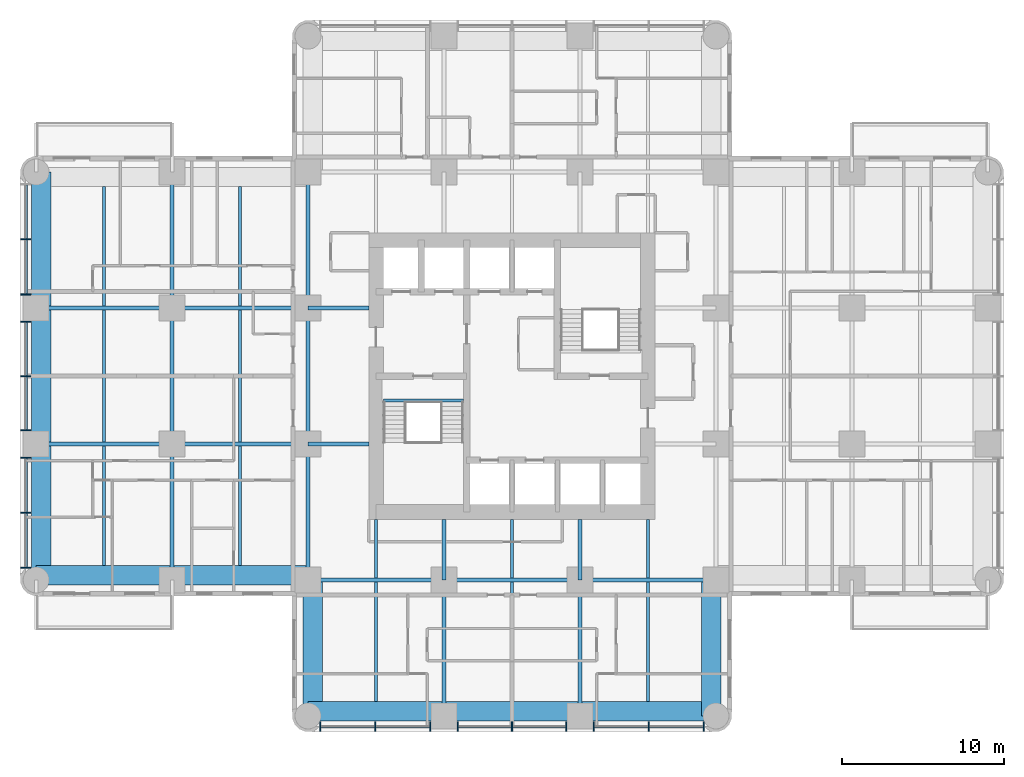
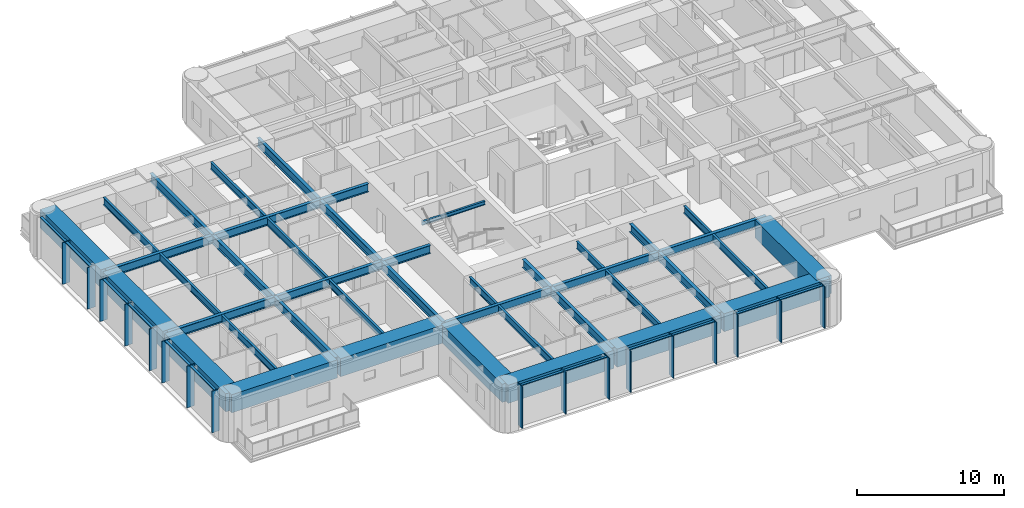
# One storey, part 2 of 14: 42 beams, 29 members, 2 elements without a shape of their own.
"""IFC4 building model written with IfcOpenShell, lengths in metres."""

from ifc_helpers import new_model, si_unit, direction, frame, origin, origin_2d, place, context, subcontext, project, spatial, rectangle, i_section, extrude, material, material_profile, profile_set, type_object, element, aggregate, save


model = new_model("IFC4")

# Units and contexts
model_context = context("Model", 3, precision=1e-05, world=origin(), true_north=direction((0.0, 1.0)))
body_context = subcontext(model_context, "Body", "Model", "MODEL_VIEW")
ifc_project = project(units=[si_unit("LENGTHUNIT", "METRE"), si_unit("AREAUNIT", "SQUARE_METRE"), si_unit("VOLUMEUNIT", "CUBIC_METRE"), si_unit("PLANEANGLEUNIT", "RADIAN"), si_unit("MASSUNIT", "GRAM", prefix="KILO")], contexts=[model_context])

# Site, building, storey
site_placement = place(None, origin())
site = spatial("IfcSite", under=ifc_project, at=site_placement, CompositionType="ELEMENT")
building_placement = place(site_placement, origin())
building = spatial("IfcBuilding", under=site, at=building_placement, Name="Torre Alcanfor", CompositionType="ELEMENT")
storey_placement = place(building_placement, frame((0.0, 0.0, 130.5)))
storey = spatial("IfcBuildingStorey", under=building, at=storey_placement, Name="L33", CompositionType="ELEMENT", Elevation=130.5)

# Curtain wall, members
ifc_material_1 = material(Name="Aluminium and glass", Category="aluminium")
curtain_wall_type = type_object("IfcCurtainWallType", Name="CW-A unitised apartment glazing with vertical FIN", PredefinedType="NOTDEFINED", material=ifc_material_1)
curtain_wall_1_placement = place(storey_placement, origin())
curtain_wall_1 = element("IfcCurtainWall", 1, at=curtain_wall_1_placement, inside=storey, type_object=curtain_wall_type, Name="Curtain wall CW-A L33 2", PredefinedType="NOTDEFINED")
ifc_material_2 = material(Name="Bronze anodised aluminium", Category="aluminium")
ifc_material_profile_1 = material_profile(ifc_material_2, rectangle(XDim=0.60009765625, YDim=0.06494140625, at=origin_2d()), Name="CW-A mullion 65x600")
ifc_profile_set_1 = profile_set([ifc_material_profile_1], Name="Bronze anodised aluminium")
member_type_1 = type_object("IfcMemberType", Name="CW-A mullion with vertical FIN 65x600", PredefinedType="MULLION", material=ifc_profile_set_1)
member_1_placement = place(storey_placement, frame((-0.64990234375, 37.840087890625, 0.0), z_axis=(0.0, 0.0, 1.0), x_axis=(1.0, 0.0, 0.0)))
member_1 = element("IfcMember", 2, at=member_1_placement, type_object=member_type_1, Name="CW-A mullion 1.2", PredefinedType="MULLION", context=body_context, shape_type="SweptSolid", body=[
    extrude(rectangle(XDim=0.60009765625, YDim=0.06494140625, at=origin_2d()), origin(), (0.0, 0.0, 1.0), 3.449951171875),
])
member_2_placement = place(storey_placement, frame((-0.64990234375, 34.4375, 0.0), z_axis=(0.0, 0.0, 1.0), x_axis=(1.0, 0.0, 0.0)))
member_2 = element("IfcMember", 3, at=member_2_placement, type_object=member_type_1, Name="CW-A mullion 1.3", PredefinedType="MULLION", context=body_context, shape_type="SweptSolid", body=[
    extrude(rectangle(XDim=0.60009765625, YDim=0.06494140625, at=origin_2d()), origin(), (0.0, 0.0, 1.0), 3.449951171875),
])
member_3_placement = place(storey_placement, frame((-0.64990234375, 32.762451171875, 0.0), z_axis=(0.0, 0.0, 1.0), x_axis=(1.0, 0.0, 0.0)))
member_3 = element("IfcMember", 4, at=member_3_placement, type_object=member_type_1, Name="CW-A mullion 2.1", PredefinedType="MULLION", context=body_context, shape_type="SweptSolid", body=[
    extrude(rectangle(XDim=0.60009765625, YDim=0.06494140625, at=origin_2d()), origin(), (0.0, 0.0, 1.0), 3.449951171875),
])
member_4_placement = place(storey_placement, frame((-0.64990234375, 29.39990234375, 0.0), z_axis=(0.0, 0.0, 1.0), x_axis=(1.0, 0.0, 0.0)))
member_4 = element("IfcMember", 5, at=member_4_placement, type_object=member_type_1, Name="CW-A mullion 2.2", PredefinedType="MULLION", context=body_context, shape_type="SweptSolid", body=[
    extrude(rectangle(XDim=0.60009765625, YDim=0.06494140625, at=origin_2d()), origin(), (0.0, 0.0, 1.0), 3.449951171875),
])
member_5_placement = place(storey_placement, frame((-0.64990234375, 26.03759765625, 0.0), z_axis=(0.0, 0.0, 1.0), x_axis=(1.0, 0.0, 0.0)))
member_5 = element("IfcMember", 6, at=member_5_placement, type_object=member_type_1, Name="CW-A mullion 2.3", PredefinedType="MULLION", context=body_context, shape_type="SweptSolid", body=[
    extrude(rectangle(XDim=0.60009765625, YDim=0.06494140625, at=origin_2d()), origin(), (0.0, 0.0, 1.0), 3.449951171875),
])
member_6_placement = place(storey_placement, frame((-0.64990234375, 24.362548828125, 0.0), z_axis=(0.0, 0.0, 1.0), x_axis=(1.0, 0.0, 0.0)))
member_6 = element("IfcMember", 7, at=member_6_placement, type_object=member_type_1, Name="CW-A mullion 3.1", PredefinedType="MULLION", context=body_context, shape_type="SweptSolid", body=[
    extrude(rectangle(XDim=0.60009765625, YDim=0.06494140625, at=origin_2d()), origin(), (0.0, 0.0, 1.0), 3.449951171875),
])
member_7_placement = place(storey_placement, frame((-0.64990234375, 20.9599609375, 0.0), z_axis=(0.0, 0.0, 1.0), x_axis=(1.0, 0.0, 0.0)))
member_7 = element("IfcMember", 8, at=member_7_placement, type_object=member_type_1, Name="CW-A mullion 3.2", PredefinedType="MULLION", context=body_context, shape_type="SweptSolid", body=[
    extrude(rectangle(XDim=0.60009765625, YDim=0.06494140625, at=origin_2d()), origin(), (0.0, 0.0, 1.0), 3.449951171875),
])
member_8_placement = place(storey_placement, frame((-0.64990234375, 17.557373046875, 0.0), z_axis=(0.0, 0.0, 1.0), x_axis=(1.0, 0.0, 0.0)))
member_8 = element("IfcMember", 9, at=member_8_placement, type_object=member_type_1, Name="CW-A mullion 3.3", PredefinedType="MULLION", context=body_context, shape_type="SweptSolid", body=[
    extrude(rectangle(XDim=0.60009765625, YDim=0.06494140625, at=origin_2d()), origin(), (0.0, 0.0, 1.0), 3.449951171875),
])

curtain_wall_2_placement = place(storey_placement, origin())
curtain_wall_2 = element("IfcCurtainWall", 10, at=curtain_wall_2_placement, inside=storey, type_object=curtain_wall_type, Name="Curtain wall CW-A L33 5", PredefinedType="NOTDEFINED")
member_9_placement = place(storey_placement, frame((17.557373046875, 7.75, 0.0), z_axis=(0.0, 0.0, 1.0), x_axis=(0.0, 1.0, 0.0)))
member_9 = element("IfcMember", 11, at=member_9_placement, type_object=member_type_1, Name="CW-A mullion 1.1", PredefinedType="MULLION", context=body_context, shape_type="SweptSolid", body=[
    extrude(rectangle(XDim=0.60009765625, YDim=0.06494140625, at=origin_2d()), origin(), (0.0, 0.0, 1.0), 3.449951171875),
])
member_10_placement = place(storey_placement, frame((20.9599609375, 7.75, 0.0), z_axis=(0.0, 0.0, 1.0), x_axis=(0.0, 1.0, 0.0)))
member_10 = element("IfcMember", 12, at=member_10_placement, type_object=member_type_1, Name="CW-A mullion 1.2", PredefinedType="MULLION", context=body_context, shape_type="SweptSolid", body=[
    extrude(rectangle(XDim=0.60009765625, YDim=0.06494140625, at=origin_2d()), origin(), (0.0, 0.0, 1.0), 3.449951171875),
])
member_11_placement = place(storey_placement, frame((24.362548828125, 7.75, 0.0), z_axis=(0.0, 0.0, 1.0), x_axis=(0.0, 1.0, 0.0)))
member_11 = element("IfcMember", 13, at=member_11_placement, type_object=member_type_1, Name="CW-A mullion 1.3", PredefinedType="MULLION", context=body_context, shape_type="SweptSolid", body=[
    extrude(rectangle(XDim=0.60009765625, YDim=0.06494140625, at=origin_2d()), origin(), (0.0, 0.0, 1.0), 3.449951171875),
])
member_12_placement = place(storey_placement, frame((26.03759765625, 7.75, 0.0), z_axis=(0.0, 0.0, 1.0), x_axis=(0.0, 1.0, 0.0)))
member_12 = element("IfcMember", 14, at=member_12_placement, type_object=member_type_1, Name="CW-A mullion 2.1", PredefinedType="MULLION", context=body_context, shape_type="SweptSolid", body=[
    extrude(rectangle(XDim=0.60009765625, YDim=0.06494140625, at=origin_2d()), origin(), (0.0, 0.0, 1.0), 3.449951171875),
])
member_13_placement = place(storey_placement, frame((29.39990234375, 7.75, 0.0), z_axis=(0.0, 0.0, 1.0), x_axis=(0.0, 1.0, 0.0)))
member_13 = element("IfcMember", 15, at=member_13_placement, type_object=member_type_1, Name="CW-A mullion 2.2", PredefinedType="MULLION", context=body_context, shape_type="SweptSolid", body=[
    extrude(rectangle(XDim=0.60009765625, YDim=0.06494140625, at=origin_2d()), origin(), (0.0, 0.0, 1.0), 3.449951171875),
])
member_14_placement = place(storey_placement, frame((32.762451171875, 7.75, 0.0), z_axis=(0.0, 0.0, 1.0), x_axis=(0.0, 1.0, 0.0)))
member_14 = element("IfcMember", 16, at=member_14_placement, type_object=member_type_1, Name="CW-A mullion 2.3", PredefinedType="MULLION", context=body_context, shape_type="SweptSolid", body=[
    extrude(rectangle(XDim=0.60009765625, YDim=0.06494140625, at=origin_2d()), origin(), (0.0, 0.0, 1.0), 3.449951171875),
])
member_15_placement = place(storey_placement, frame((34.4375, 7.75, 0.0), z_axis=(0.0, 0.0, 1.0), x_axis=(0.0, 1.0, 0.0)))
member_15 = element("IfcMember", 17, at=member_15_placement, type_object=member_type_1, Name="CW-A mullion 3.1", PredefinedType="MULLION", context=body_context, shape_type="SweptSolid", body=[
    extrude(rectangle(XDim=0.60009765625, YDim=0.06494140625, at=origin_2d()), origin(), (0.0, 0.0, 1.0), 3.449951171875),
])
member_16_placement = place(storey_placement, frame((37.840087890625, 7.75, 0.0), z_axis=(0.0, 0.0, 1.0), x_axis=(0.0, 1.0, 0.0)))
member_16 = element("IfcMember", 18, at=member_16_placement, type_object=member_type_1, Name="CW-A mullion 3.2", PredefinedType="MULLION", context=body_context, shape_type="SweptSolid", body=[
    extrude(rectangle(XDim=0.60009765625, YDim=0.06494140625, at=origin_2d()), origin(), (0.0, 0.0, 1.0), 3.449951171875),
])
member_17_placement = place(storey_placement, frame((41.24267578125, 7.75, 0.0), z_axis=(0.0, 0.0, 1.0), x_axis=(0.0, 1.0, 0.0)))
member_17 = element("IfcMember", 19, at=member_17_placement, type_object=member_type_1, Name="CW-A mullion 3.3", PredefinedType="MULLION", context=body_context, shape_type="SweptSolid", body=[
    extrude(rectangle(XDim=0.60009765625, YDim=0.06494140625, at=origin_2d()), origin(), (0.0, 0.0, 1.0), 3.449951171875),
])

# Member
ifc_material_3 = material(Name="Extruded aluminium", Category="aluminium")
ifc_material_profile_2 = material_profile(ifc_material_3, rectangle(XDim=0.199951171875, YDim=0.06494140625, at=origin_2d()), Name="CW-A transom 200x65")
ifc_profile_set_2 = profile_set([ifc_material_profile_2], Name="Extruded aluminium")
member_type_2 = type_object("IfcMemberType", Name="CW-A transom 65x200", PredefinedType="USERDEFINED", material=ifc_profile_set_2)
member_18_placement = place(storey_placement, frame((-0.64990234375, 41.210205078125, 3.41748046875), z_axis=(0.0, -1.0, 0.0), x_axis=(1.0, 0.0, 0.0)))
member_18 = element("IfcMember", 20, at=member_18_placement, type_object=member_type_2, Name="CW-A transom 1.1.2", ObjectType="TRANSOM", PredefinedType="USERDEFINED", context=body_context, shape_type="SweptSolid", body=[
    extrude(rectangle(XDim=0.199951171875, YDim=0.06494140625, at=origin_2d()), origin(), (0.0, 0.0, 1.0), 3.337646484375),
])

member_19_placement = place(storey_placement, frame((-0.64990234375, 37.8076171875, 3.41748046875), z_axis=(0.0, -1.0, 0.0), x_axis=(1.0, 0.0, 0.0)))
member_19 = element("IfcMember", 21, at=member_19_placement, type_object=member_type_2, Name="CW-A transom 1.2.2", ObjectType="TRANSOM", PredefinedType="USERDEFINED", context=body_context, shape_type="SweptSolid", body=[
    extrude(rectangle(XDim=0.199951171875, YDim=0.06494140625, at=origin_2d()), origin(), (0.0, 0.0, 1.0), 3.337646484375),
])

member_20_placement = place(storey_placement, frame((-0.64990234375, 32.72998046875, 3.41748046875), z_axis=(0.0, -1.0, 0.0), x_axis=(1.0, 0.0, 0.0)))
member_20 = element("IfcMember", 22, at=member_20_placement, type_object=member_type_2, Name="CW-A transom 2.1.2", ObjectType="TRANSOM", PredefinedType="USERDEFINED", context=body_context, shape_type="SweptSolid", body=[
    extrude(rectangle(XDim=0.199951171875, YDim=0.06494140625, at=origin_2d()), origin(), (0.0, 0.0, 1.0), 3.29736328125),
])

member_21_placement = place(storey_placement, frame((-0.64990234375, 29.367431640625, 3.41748046875), z_axis=(0.0, -1.0, 0.0), x_axis=(1.0, 0.0, 0.0)))
member_21 = element("IfcMember", 23, at=member_21_placement, type_object=member_type_2, Name="CW-A transom 2.2.2", ObjectType="TRANSOM", PredefinedType="USERDEFINED", context=body_context, shape_type="SweptSolid", body=[
    extrude(rectangle(XDim=0.199951171875, YDim=0.06494140625, at=origin_2d()), origin(), (0.0, 0.0, 1.0), 3.29736328125),
])

member_22_placement = place(storey_placement, frame((-0.64990234375, 24.330078125, 3.41748046875), z_axis=(0.0, -1.0, 0.0), x_axis=(1.0, 0.0, 0.0)))
member_22 = element("IfcMember", 24, at=member_22_placement, type_object=member_type_2, Name="CW-A transom 3.1.2", ObjectType="TRANSOM", PredefinedType="USERDEFINED", context=body_context, shape_type="SweptSolid", body=[
    extrude(rectangle(XDim=0.199951171875, YDim=0.06494140625, at=origin_2d()), origin(), (0.0, 0.0, 1.0), 3.337646484375),
])

member_23_placement = place(storey_placement, frame((-0.64990234375, 20.927490234375, 3.41748046875), z_axis=(0.0, -1.0, 0.0), x_axis=(1.0, 0.0, 0.0)))
member_23 = element("IfcMember", 25, at=member_23_placement, type_object=member_type_2, Name="CW-A transom 3.2.2", ObjectType="TRANSOM", PredefinedType="USERDEFINED", context=body_context, shape_type="SweptSolid", body=[
    extrude(rectangle(XDim=0.199951171875, YDim=0.06494140625, at=origin_2d()), origin(), (0.0, 0.0, 1.0), 3.337646484375),
])

aggregate(curtain_wall_1, [member_1, member_2, member_18, member_19, member_3, member_4, member_5, member_20, member_21, member_6, member_7, member_8, member_22, member_23])

member_24_placement = place(storey_placement, frame((17.58984375, 7.75, 3.41748046875), z_axis=(1.0, 0.0, 0.0), x_axis=(0.0, 1.0, 0.0)))
member_24 = element("IfcMember", 26, at=member_24_placement, type_object=member_type_2, Name="CW-A transom 1.1.2", ObjectType="TRANSOM", PredefinedType="USERDEFINED", context=body_context, shape_type="SweptSolid", body=[
    extrude(rectangle(XDim=0.199951171875, YDim=0.06494140625, at=origin_2d()), origin(), (0.0, 0.0, 1.0), 3.337646484375),
])

member_25_placement = place(storey_placement, frame((20.992431640625, 7.75, 3.41748046875), z_axis=(1.0, 0.0, 0.0), x_axis=(0.0, 1.0, 0.0)))
member_25 = element("IfcMember", 27, at=member_25_placement, type_object=member_type_2, Name="CW-A transom 1.2.2", ObjectType="TRANSOM", PredefinedType="USERDEFINED", context=body_context, shape_type="SweptSolid", body=[
    extrude(rectangle(XDim=0.199951171875, YDim=0.06494140625, at=origin_2d()), origin(), (0.0, 0.0, 1.0), 3.337646484375),
])

member_26_placement = place(storey_placement, frame((26.070068359375, 7.75, 3.41748046875), z_axis=(1.0, 0.0, 0.0), x_axis=(0.0, 1.0, 0.0)))
member_26 = element("IfcMember", 28, at=member_26_placement, type_object=member_type_2, Name="CW-A transom 2.1.2", ObjectType="TRANSOM", PredefinedType="USERDEFINED", context=body_context, shape_type="SweptSolid", body=[
    extrude(rectangle(XDim=0.199951171875, YDim=0.06494140625, at=origin_2d()), origin(), (0.0, 0.0, 1.0), 3.29736328125),
])

member_27_placement = place(storey_placement, frame((29.4326171875, 7.75, 3.41748046875), z_axis=(1.0, 0.0, 0.0), x_axis=(0.0, 1.0, 0.0)))
member_27 = element("IfcMember", 29, at=member_27_placement, type_object=member_type_2, Name="CW-A transom 2.2.2", ObjectType="TRANSOM", PredefinedType="USERDEFINED", context=body_context, shape_type="SweptSolid", body=[
    extrude(rectangle(XDim=0.199951171875, YDim=0.06494140625, at=origin_2d()), origin(), (0.0, 0.0, 1.0), 3.29736328125),
])

member_28_placement = place(storey_placement, frame((34.469970703125, 7.75, 3.41748046875), z_axis=(1.0, 0.0, 0.0), x_axis=(0.0, 1.0, 0.0)))
member_28 = element("IfcMember", 30, at=member_28_placement, type_object=member_type_2, Name="CW-A transom 3.1.2", ObjectType="TRANSOM", PredefinedType="USERDEFINED", context=body_context, shape_type="SweptSolid", body=[
    extrude(rectangle(XDim=0.199951171875, YDim=0.06494140625, at=origin_2d()), origin(), (0.0, 0.0, 1.0), 3.337646484375),
])

member_29_placement = place(storey_placement, frame((37.87255859375, 7.75, 3.41748046875), z_axis=(1.0, 0.0, 0.0), x_axis=(0.0, 1.0, 0.0)))
member_29 = element("IfcMember", 31, at=member_29_placement, type_object=member_type_2, Name="CW-A transom 3.2.2", ObjectType="TRANSOM", PredefinedType="USERDEFINED", context=body_context, shape_type="SweptSolid", body=[
    extrude(rectangle(XDim=0.199951171875, YDim=0.06494140625, at=origin_2d()), origin(), (0.0, 0.0, 1.0), 3.337646484375),
])

aggregate(curtain_wall_2, [member_9, member_10, member_11, member_24, member_25, member_12, member_13, member_14, member_26, member_27, member_15, member_16, member_17, member_28, member_29])

# Beams
ifc_material_4 = material(Name="Steel ASTM A992 Grade 50", Category="steel")
ifc_material_profile_3 = material_profile(ifc_material_4, i_section(OverallWidth=0.25390625, OverallDepth=0.683349609375, WebThickness=0.012451171875, FlangeThickness=0.01904296875, at=origin_2d()), Name="W27x94")
ifc_profile_set_3 = profile_set([ifc_material_profile_3], Name="Steel ASTM A992 Grade 50")
beam_type_1 = type_object("IfcBeamType", Name="Girder W27x94", PredefinedType="BEAM", material=ifc_profile_set_3)
beam_1_placement = place(storey_placement, frame((16.800048828125, 16.800048828125, 3.1083984375), z_axis=(1.0, 0.0, 0.0), x_axis=(0.0, 1.0, 0.0)))
element("IfcBeam", 32, at=beam_1_placement, inside=storey, type_object=beam_type_1, Name="Beam 3E-4E under L34", PredefinedType="BEAM", context=body_context, shape_type="SweptSolid", body=[
    extrude(i_section(OverallWidth=0.25390625, OverallDepth=0.683349609375, WebThickness=0.012451171875, FlangeThickness=0.01904296875, at=origin_2d()), origin(), (0.0, 0.0, 1.0), 8.39990234375),
])
beam_2_placement = place(storey_placement, frame((25.199951171875, 16.800048828125, 3.1083984375), z_axis=(1.0, 0.0, 0.0), x_axis=(0.0, 1.0, 0.0)))
element("IfcBeam", 33, at=beam_2_placement, inside=storey, type_object=beam_type_1, Name="Beam 4E-5E under L34", PredefinedType="BEAM", context=body_context, shape_type="SweptSolid", body=[
    extrude(i_section(OverallWidth=0.25390625, OverallDepth=0.683349609375, WebThickness=0.012451171875, FlangeThickness=0.01904296875, at=origin_2d()), origin(), (0.0, 0.0, 1.0), 8.400146484375),
])
for number, where, z_axis, x_axis, name in (
    (34, (33.60009765625, 16.800048828125, 3.1083984375), (1.0, 0.0, 0.0), (0.0, 1.0, 0.0), "Beam 5E-6E under L34"),
    (35, (0.0, 25.199951171875, 3.1083984375), (1.0, 0.0, 0.0), (0.0, 1.0, 0.0), "Beam 1F-2F under L34"),
):
    element("IfcBeam", number, at=place(storey_placement, frame(where, z_axis=z_axis, x_axis=x_axis)), inside=storey, type_object=beam_type_1, Name=name, PredefinedType="BEAM", context=body_context, shape_type="SweptSolid", body=[
        extrude(i_section(OverallWidth=0.25390625, OverallDepth=0.683349609375, WebThickness=0.012451171875, FlangeThickness=0.01904296875, at=origin_2d()), origin(), (0.0, 0.0, 1.0), 8.39990234375),
    ])
beam_3_placement = place(storey_placement, frame((8.39990234375, 25.199951171875, 3.1083984375), z_axis=(1.0, 0.0, 0.0), x_axis=(0.0, 1.0, 0.0)))
element("IfcBeam", 36, at=beam_3_placement, inside=storey, type_object=beam_type_1, Name="Beam 2F-3F under L34", PredefinedType="BEAM", context=body_context, shape_type="SweptSolid", body=[
    extrude(i_section(OverallWidth=0.25390625, OverallDepth=0.683349609375, WebThickness=0.012451171875, FlangeThickness=0.01904296875, at=origin_2d()), origin(), (0.0, 0.0, 1.0), 8.400146484375),
])
beam_4_placement = place(storey_placement, frame((0.0, 33.60009765625, 3.1083984375), z_axis=(1.0, 0.0, 0.0), x_axis=(0.0, 1.0, 0.0)))
element("IfcBeam", 37, at=beam_4_placement, inside=storey, type_object=beam_type_1, Name="Beam 1G-2G under L34", PredefinedType="BEAM", context=body_context, shape_type="SweptSolid", body=[
    extrude(i_section(OverallWidth=0.25390625, OverallDepth=0.683349609375, WebThickness=0.012451171875, FlangeThickness=0.01904296875, at=origin_2d()), origin(), (0.0, 0.0, 1.0), 8.39990234375),
])
beam_5_placement = place(storey_placement, frame((8.39990234375, 33.60009765625, 3.1083984375), z_axis=(1.0, 0.0, 0.0), x_axis=(0.0, 1.0, 0.0)))
element("IfcBeam", 38, at=beam_5_placement, inside=storey, type_object=beam_type_1, Name="Beam 2G-3G under L34", PredefinedType="BEAM", context=body_context, shape_type="SweptSolid", body=[
    extrude(i_section(OverallWidth=0.25390625, OverallDepth=0.683349609375, WebThickness=0.012451171875, FlangeThickness=0.01904296875, at=origin_2d()), origin(), (0.0, 0.0, 1.0), 8.400146484375),
])
beam_6_placement = place(storey_placement, frame((8.39990234375, 16.800048828125, 3.1083984375), z_axis=(0.0, 1.0, 0.0), x_axis=(-1.0, 0.0, 0.0)))
element("IfcBeam", 39, at=beam_6_placement, inside=storey, type_object=beam_type_1, Name="Beam 2E-2F under L34", PredefinedType="BEAM", context=body_context, shape_type="SweptSolid", body=[
    extrude(i_section(OverallWidth=0.25390625, OverallDepth=0.683349609375, WebThickness=0.012451171875, FlangeThickness=0.01904296875, at=origin_2d()), origin(), (0.0, 0.0, 1.0), 8.39990234375),
])
beam_7_placement = place(storey_placement, frame((8.39990234375, 25.199951171875, 3.1083984375), z_axis=(0.0, 1.0, 0.0), x_axis=(-1.0, 0.0, 0.0)))
element("IfcBeam", 40, at=beam_7_placement, inside=storey, type_object=beam_type_1, Name="Beam 2F-2G under L34", PredefinedType="BEAM", context=body_context, shape_type="SweptSolid", body=[
    extrude(i_section(OverallWidth=0.25390625, OverallDepth=0.683349609375, WebThickness=0.012451171875, FlangeThickness=0.01904296875, at=origin_2d()), origin(), (0.0, 0.0, 1.0), 8.400146484375),
])
for number, where, z_axis, x_axis, name in (
    (41, (8.39990234375, 33.60009765625, 3.1083984375), (0.0, 1.0, 0.0), (-1.0, 0.0, 0.0), "Beam 2G-2H under L34"),
    (42, (16.800048828125, 16.800048828125, 3.1083984375), (0.0, 1.0, 0.0), (-1.0, 0.0, 0.0), "Beam 3E-3F under L34"),
):
    element("IfcBeam", number, at=place(storey_placement, frame(where, z_axis=z_axis, x_axis=x_axis)), inside=storey, type_object=beam_type_1, Name=name, PredefinedType="BEAM", context=body_context, shape_type="SweptSolid", body=[
        extrude(i_section(OverallWidth=0.25390625, OverallDepth=0.683349609375, WebThickness=0.012451171875, FlangeThickness=0.01904296875, at=origin_2d()), origin(), (0.0, 0.0, 1.0), 8.39990234375),
    ])
beam_8_placement = place(storey_placement, frame((16.800048828125, 25.199951171875, 3.1083984375), z_axis=(0.0, 1.0, 0.0), x_axis=(-1.0, 0.0, 0.0)))
element("IfcBeam", 43, at=beam_8_placement, inside=storey, type_object=beam_type_1, Name="Beam 3F-3G under L34", PredefinedType="BEAM", context=body_context, shape_type="SweptSolid", body=[
    extrude(i_section(OverallWidth=0.25390625, OverallDepth=0.683349609375, WebThickness=0.012451171875, FlangeThickness=0.01904296875, at=origin_2d()), origin(), (0.0, 0.0, 1.0), 8.400146484375),
])
beam_9_placement = place(storey_placement, frame((16.800048828125, 33.60009765625, 3.1083984375), z_axis=(0.0, 1.0, 0.0), x_axis=(-1.0, 0.0, 0.0)))
element("IfcBeam", 44, at=beam_9_placement, inside=storey, type_object=beam_type_1, Name="Beam 3G-3H under L34", PredefinedType="BEAM", context=body_context, shape_type="SweptSolid", body=[
    extrude(i_section(OverallWidth=0.25390625, OverallDepth=0.683349609375, WebThickness=0.012451171875, FlangeThickness=0.01904296875, at=origin_2d()), origin(), (0.0, 0.0, 1.0), 8.39990234375),
])
for number, where, z_axis, x_axis, name in (
    (45, (25.199951171875, 8.39990234375, 3.1083984375), (0.0, 1.0, 0.0), (-1.0, 0.0, 0.0), "Beam 4D-4E under L34"),
    (46, (33.60009765625, 8.39990234375, 3.1083984375), (0.0, 1.0, 0.0), (-1.0, 0.0, 0.0), "Beam 5D-5E under L34"),
):
    element("IfcBeam", number, at=place(storey_placement, frame(where, z_axis=z_axis, x_axis=x_axis)), inside=storey, type_object=beam_type_1, Name=name, PredefinedType="BEAM", context=body_context, shape_type="SweptSolid", body=[
        extrude(i_section(OverallWidth=0.25390625, OverallDepth=0.683349609375, WebThickness=0.012451171875, FlangeThickness=0.01904296875, at=origin_2d()), origin(), (0.0, 0.0, 1.0), 8.400146484375),
    ])
ifc_material_5 = material(Name="Steel ASTM A992 Grade 50", Category="steel")
ifc_material_profile_4 = material_profile(ifc_material_5, i_section(OverallWidth=0.25390625, OverallDepth=0.683349609375, WebThickness=0.012451171875, FlangeThickness=0.01904296875, at=origin_2d()), Name="W27x94")
ifc_profile_set_4 = profile_set([ifc_material_profile_4], Name="Steel ASTM A992 Grade 50")
beam_type_2 = type_object("IfcBeamType", Name="Girder, part bay W27x94", PredefinedType="BEAM", material=ifc_profile_set_4)
for number, where, z_axis, x_axis, name in (
    (47, (25.199951171875, 16.800048828125, 3.1083984375), (0.0, 1.0, 0.0), (-1.0, 0.0, 0.0), "Beam 4E-420_55 under L34"),
    (48, (33.60009765625, 16.800048828125, 3.1083984375), (0.0, 1.0, 0.0), (-1.0, 0.0, 0.0), "Beam 5E-520_55 under L34"),
    (49, (16.800048828125, 25.199951171875, 3.1083984375), (1.0, 0.0, 0.0), (0.0, 1.0, 0.0), "Beam 3F-20_55F under L34"),
    (50, (16.800048828125, 33.60009765625, 3.1083984375), (1.0, 0.0, 0.0), (0.0, 1.0, 0.0), "Beam 3G-20_55G under L34"),
):
    element("IfcBeam", number, at=place(storey_placement, frame(where, z_axis=z_axis, x_axis=x_axis)), inside=storey, type_object=beam_type_2, Name=name, PredefinedType="BEAM", context=body_context, shape_type="SweptSolid", body=[
        extrude(i_section(OverallWidth=0.25390625, OverallDepth=0.683349609375, WebThickness=0.012451171875, FlangeThickness=0.01904296875, at=origin_2d()), origin(), (0.0, 0.0, 1.0), 3.75),
    ])
ifc_material_6 = material(Name="Concrete f'c 70 MPa", Category="concrete")
ifc_material_profile_5 = material_profile(ifc_material_6, rectangle(XDim=1.199951171875, YDim=1.5, at=origin_2d()), Name="1200x1500")
ifc_profile_set_5 = profile_set([ifc_material_profile_5], Name="Concrete f'c 70 MPa")
beam_type_3 = type_object("IfcBeamType", Name="RC perimeter beam 1200x1500", PredefinedType="BEAM", material=ifc_profile_set_5)
beam_10_placement = place(storey_placement, frame((16.800048828125, 8.699951171875, 2.699951171875), z_axis=(1.0, 0.0, 0.0), x_axis=(0.0, 1.0, 0.0)))
element("IfcBeam", 51, at=beam_10_placement, inside=storey, type_object=beam_type_3, Name="Beam 3D-4D under L34", PredefinedType="BEAM", context=body_context, shape_type="SweptSolid", body=[
    extrude(rectangle(XDim=1.199951171875, YDim=1.5, at=origin_2d()), origin(), (0.0, 0.0, 1.0), 8.27294921875),
])
beam_11_placement = place(storey_placement, frame((25.326904296875, 8.699951171875, 2.699951171875), z_axis=(1.0, 0.0, 0.0), x_axis=(0.0, 1.0, 0.0)))
element("IfcBeam", 52, at=beam_11_placement, inside=storey, type_object=beam_type_3, Name="Beam 4D-5D under L34", PredefinedType="BEAM", context=body_context, shape_type="SweptSolid", body=[
    extrude(rectangle(XDim=1.199951171875, YDim=1.5, at=origin_2d()), origin(), (0.0, 0.0, 1.0), 8.14599609375),
])
for number, where, z_axis, x_axis, name in (
    (53, (33.72705078125, 8.699951171875, 2.699951171875), (1.0, 0.0, 0.0), (0.0, 1.0, 0.0), "Beam 5D-6D under L34"),
    (54, (0.0, 17.10009765625, 2.699951171875), (1.0, 0.0, 0.0), (0.0, 1.0, 0.0), "Beam 1E-2E under L34"),
):
    element("IfcBeam", number, at=place(storey_placement, frame(where, z_axis=z_axis, x_axis=x_axis)), inside=storey, type_object=beam_type_3, Name=name, PredefinedType="BEAM", context=body_context, shape_type="SweptSolid", body=[
        extrude(rectangle(XDim=1.199951171875, YDim=1.5, at=origin_2d()), origin(), (0.0, 0.0, 1.0), 8.27294921875),
    ])
beam_12_placement = place(storey_placement, frame((8.527099609375, 17.10009765625, 2.699951171875), z_axis=(1.0, 0.0, 0.0), x_axis=(0.0, 1.0, 0.0)))
element("IfcBeam", 55, at=beam_12_placement, inside=storey, type_object=beam_type_3, Name="Beam 2E-3E under L34", PredefinedType="BEAM", context=body_context, shape_type="SweptSolid", body=[
    extrude(rectangle(XDim=1.199951171875, YDim=1.5, at=origin_2d()), origin(), (0.0, 0.0, 1.0), 8.39990234375),
])
beam_13_placement = place(storey_placement, frame((0.300048828125, 16.800048828125, 2.699951171875), z_axis=(0.0, 1.0, 0.0), x_axis=(-1.0, 0.0, 0.0)))
element("IfcBeam", 56, at=beam_13_placement, inside=storey, type_object=beam_type_3, Name="Beam 1E-1F under L34", PredefinedType="BEAM", context=body_context, shape_type="SweptSolid", body=[
    extrude(rectangle(XDim=1.199951171875, YDim=1.5, at=origin_2d()), origin(), (0.0, 0.0, 1.0), 8.27294921875),
])
beam_14_placement = place(storey_placement, frame((0.300048828125, 25.326904296875, 2.699951171875), z_axis=(0.0, 1.0, 0.0), x_axis=(-1.0, 0.0, 0.0)))
element("IfcBeam", 57, at=beam_14_placement, inside=storey, type_object=beam_type_3, Name="Beam 1F-1G under L34", PredefinedType="BEAM", context=body_context, shape_type="SweptSolid", body=[
    extrude(rectangle(XDim=1.199951171875, YDim=1.5, at=origin_2d()), origin(), (0.0, 0.0, 1.0), 8.14599609375),
])
beam_15_placement = place(storey_placement, frame((0.300048828125, 33.72705078125, 2.699951171875), z_axis=(0.0, 1.0, 0.0), x_axis=(-1.0, 0.0, 0.0)))
element("IfcBeam", 58, at=beam_15_placement, inside=storey, type_object=beam_type_3, Name="Beam 1G-1H under L34", PredefinedType="BEAM", context=body_context, shape_type="SweptSolid", body=[
    extrude(rectangle(XDim=1.199951171875, YDim=1.5, at=origin_2d()), origin(), (0.0, 0.0, 1.0), 8.27294921875),
])
for number, where, z_axis, x_axis, name in (
    (59, (17.10009765625, 8.39990234375, 2.699951171875), (0.0, 1.0, 0.0), (-1.0, 0.0, 0.0), "Beam 3D-3E under L34"),
    (60, (41.699951171875, 8.39990234375, 2.699951171875), (0.0, 1.0, 0.0), (-1.0, 0.0, 0.0), "Beam 6D-6E under L34"),
):
    element("IfcBeam", number, at=place(storey_placement, frame(where, z_axis=z_axis, x_axis=x_axis)), inside=storey, type_object=beam_type_3, Name=name, PredefinedType="BEAM", context=body_context, shape_type="SweptSolid", body=[
        extrude(rectangle(XDim=1.199951171875, YDim=1.5, at=origin_2d()), origin(), (0.0, 0.0, 1.0), 8.273193359375),
    ])
ifc_material_7 = material(Name="Steel ASTM A992 Grade 50", Category="steel")
ifc_material_profile_6 = material_profile(ifc_material_7, i_section(OverallWidth=0.1787109375, OverallDepth=0.60205078125, WebThickness=0.010986328125, FlangeThickness=0.014892578125, at=origin_2d()), Name="W24x62")
ifc_profile_set_6 = profile_set([ifc_material_profile_6], Name="Steel ASTM A992 Grade 50")
beam_type_4 = type_object("IfcBeamType", Name="Secondary beam W24x62", PredefinedType="BEAM", material=ifc_profile_set_6)
beam_16_placement = place(storey_placement, frame((4.199951171875, 17.699951171875, 3.14892578125), z_axis=(0.0, 1.0, 0.0), x_axis=(-1.0, 0.0, 0.0)))
element("IfcBeam", 61, at=beam_16_placement, inside=storey, type_object=beam_type_4, Name="Beam 4_2E-4_2F under L34", PredefinedType="BEAM", context=body_context, shape_type="SweptSolid", body=[
    extrude(i_section(OverallWidth=0.1787109375, OverallDepth=0.60205078125, WebThickness=0.010986328125, FlangeThickness=0.014892578125, at=origin_2d()), origin(), (0.0, 0.0, 1.0), 7.373046875),
])
beam_17_placement = place(storey_placement, frame((4.199951171875, 25.326904296875, 3.14892578125), z_axis=(0.0, 1.0, 0.0), x_axis=(-1.0, 0.0, 0.0)))
element("IfcBeam", 62, at=beam_17_placement, inside=storey, type_object=beam_type_4, Name="Beam 4_2F-4_2G under L34", PredefinedType="BEAM", context=body_context, shape_type="SweptSolid", body=[
    extrude(i_section(OverallWidth=0.1787109375, OverallDepth=0.60205078125, WebThickness=0.010986328125, FlangeThickness=0.014892578125, at=origin_2d()), origin(), (0.0, 0.0, 1.0), 8.14599609375),
])
for number, where, z_axis, x_axis, name in (
    (63, (4.199951171875, 33.72705078125, 3.14892578125), (0.0, 1.0, 0.0), (-1.0, 0.0, 0.0), "Beam 4_2G-4_2H under L34"),
    (64, (12.60009765625, 17.699951171875, 3.14892578125), (0.0, 1.0, 0.0), (-1.0, 0.0, 0.0), "Beam 12_6E-12_6F under L34"),
):
    element("IfcBeam", number, at=place(storey_placement, frame(where, z_axis=z_axis, x_axis=x_axis)), inside=storey, type_object=beam_type_4, Name=name, PredefinedType="BEAM", context=body_context, shape_type="SweptSolid", body=[
        extrude(i_section(OverallWidth=0.1787109375, OverallDepth=0.60205078125, WebThickness=0.010986328125, FlangeThickness=0.014892578125, at=origin_2d()), origin(), (0.0, 0.0, 1.0), 7.373046875),
    ])
beam_18_placement = place(storey_placement, frame((12.60009765625, 25.326904296875, 3.14892578125), z_axis=(0.0, 1.0, 0.0), x_axis=(-1.0, 0.0, 0.0)))
element("IfcBeam", 65, at=beam_18_placement, inside=storey, type_object=beam_type_4, Name="Beam 12_6F-12_6G under L34", PredefinedType="BEAM", context=body_context, shape_type="SweptSolid", body=[
    extrude(i_section(OverallWidth=0.1787109375, OverallDepth=0.60205078125, WebThickness=0.010986328125, FlangeThickness=0.014892578125, at=origin_2d()), origin(), (0.0, 0.0, 1.0), 8.14599609375),
])
for number, where, z_axis, x_axis, name in (
    (66, (12.60009765625, 33.72705078125, 3.14892578125), (0.0, 1.0, 0.0), (-1.0, 0.0, 0.0), "Beam 12_6G-12_6H under L34"),
    (67, (21.0, 9.300048828125, 3.14892578125), (0.0, 1.0, 0.0), (-1.0, 0.0, 0.0), "Beam 21D-21E under L34"),
    (68, (29.39990234375, 9.300048828125, 3.14892578125), (0.0, 1.0, 0.0), (-1.0, 0.0, 0.0), "Beam 29_4D-29_4E under L34"),
    (69, (37.800048828125, 9.300048828125, 3.14892578125), (0.0, 1.0, 0.0), (-1.0, 0.0, 0.0), "Beam 37_8D-37_8E under L34"),
):
    element("IfcBeam", number, at=place(storey_placement, frame(where, z_axis=z_axis, x_axis=x_axis)), inside=storey, type_object=beam_type_4, Name=name, PredefinedType="BEAM", context=body_context, shape_type="SweptSolid", body=[
        extrude(i_section(OverallWidth=0.1787109375, OverallDepth=0.60205078125, WebThickness=0.010986328125, FlangeThickness=0.014892578125, at=origin_2d()), origin(), (0.0, 0.0, 1.0), 7.373046875),
    ])
ifc_material_8 = material(Name="Steel ASTM A992 Grade 50", Category="steel")
ifc_material_profile_7 = material_profile(ifc_material_8, i_section(OverallWidth=0.1787109375, OverallDepth=0.60205078125, WebThickness=0.010986328125, FlangeThickness=0.014892578125, at=origin_2d()), Name="W24x62")
ifc_profile_set_7 = profile_set([ifc_material_profile_7], Name="Steel ASTM A992 Grade 50")
beam_type_5 = type_object("IfcBeamType", Name="Secondary beam, part bay W24x62", PredefinedType="BEAM", material=ifc_profile_set_7)
for number, where, z_axis, x_axis, name in (
    (70, (21.0, 16.927001953125, 3.14892578125), (0.0, 1.0, 0.0), (-1.0, 0.0, 0.0), "Beam 21E-2120_55 under L34"),
    (71, (29.39990234375, 16.927001953125, 3.14892578125), (0.0, 1.0, 0.0), (-1.0, 0.0, 0.0), "Beam 29_4E-29_420_55 under L34"),
    (72, (37.800048828125, 16.927001953125, 3.14892578125), (0.0, 1.0, 0.0), (-1.0, 0.0, 0.0), "Beam 37_8E-37_820_55 under L34"),
):
    element("IfcBeam", number, at=place(storey_placement, frame(where, z_axis=z_axis, x_axis=x_axis)), inside=storey, type_object=beam_type_5, Name=name, PredefinedType="BEAM", context=body_context, shape_type="SweptSolid", body=[
        extrude(i_section(OverallWidth=0.1787109375, OverallDepth=0.60205078125, WebThickness=0.010986328125, FlangeThickness=0.014892578125, at=origin_2d()), origin(), (0.0, 0.0, 1.0), 3.623046875),
    ])
ifc_material_9 = material(Name="Steel ASTM A992 Grade 50", Category="steel")
ifc_material_profile_8 = material_profile(ifc_material_9, i_section(OverallWidth=0.164794921875, OverallDepth=0.309814453125, WebThickness=0.005859375, FlangeThickness=0.009765625, at=origin_2d()), Name="W12x26")
ifc_profile_set_8 = profile_set([ifc_material_profile_8], Name="Steel ASTM A992 Grade 50")
beam_type_6 = type_object("IfcBeamType", Name="Stair landing beam W12x26", PredefinedType="BEAM", material=ifc_profile_set_8)
beam_19_placement = place(storey_placement, frame((21.449951171875, 27.887451171875, 3.2451171875), z_axis=(1.0, 0.0, 0.0), x_axis=(0.0, 1.0, 0.0)))
element("IfcBeam", 73, at=beam_19_placement, inside=storey, type_object=beam_type_6, Name="Landing trimmer S1 L34", PredefinedType="BEAM", context=body_context, shape_type="SweptSolid", body=[
    extrude(i_section(OverallWidth=0.164794921875, OverallDepth=0.309814453125, WebThickness=0.005859375, FlangeThickness=0.009765625, at=origin_2d()), origin(), (0.0, 0.0, 1.0), 4.949951171875),
])

save(model, "model.ifc")
